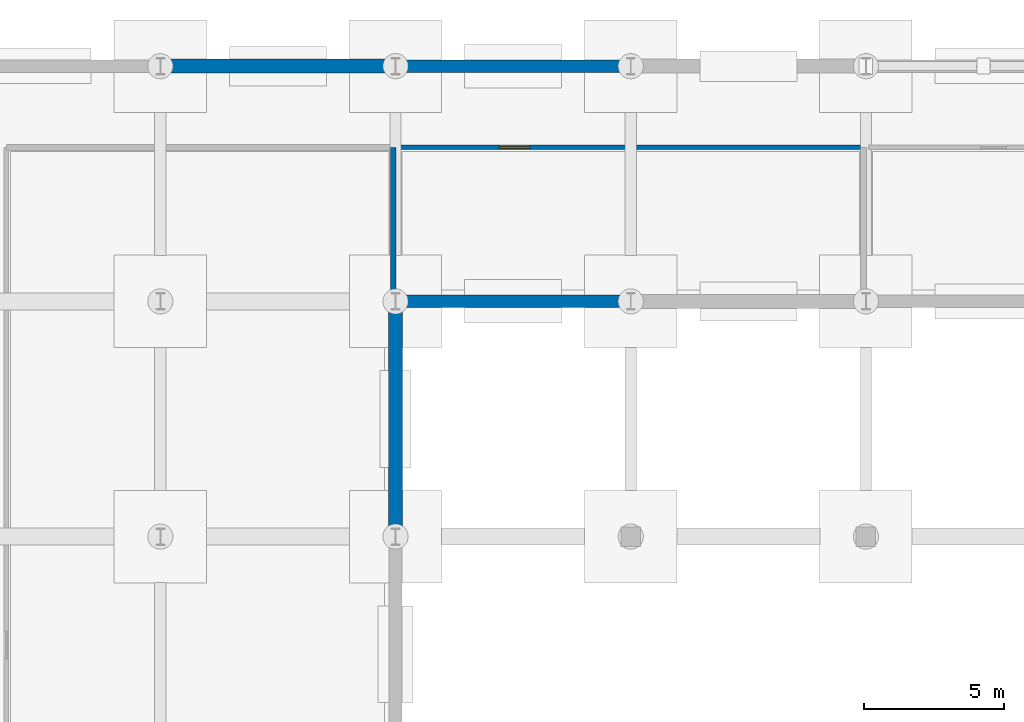
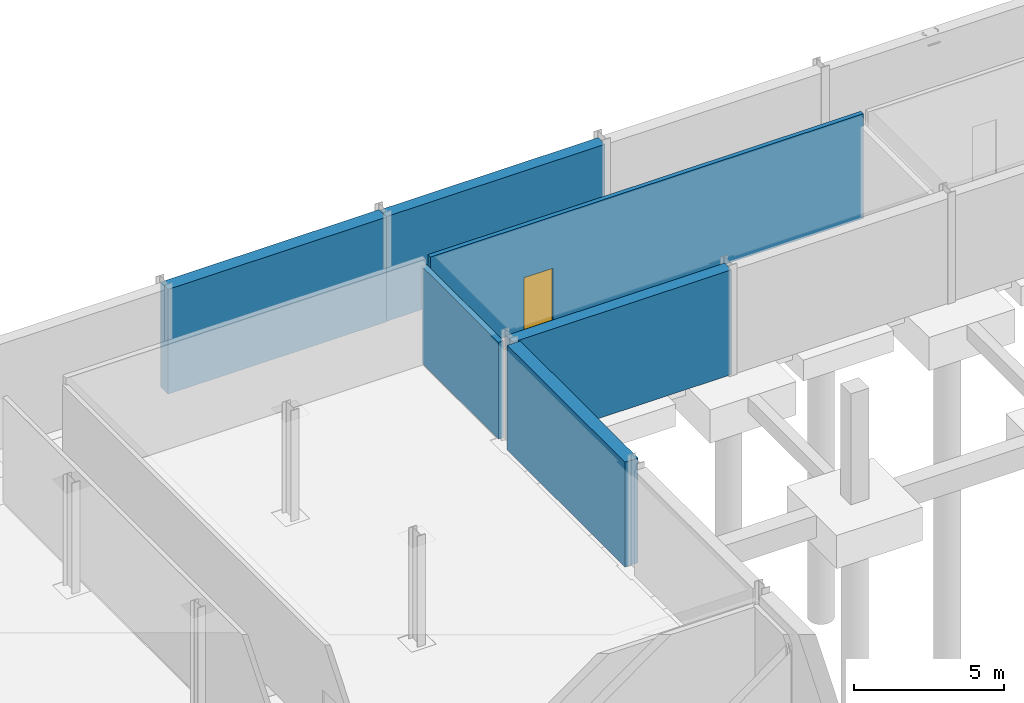
# One storey, part 30 of 43: 6 walls, 1 door, 1 opening.
"""IFC4 building model written with IfcOpenShell, lengths in metres."""

from ifc_helpers import new_model, si_unit, direction, frame, frame_2d, origin, place, context, subcontext, project, spatial, rectangle, extrude, material, layer, layer_set, type_object, element, fill, save


model = new_model("IFC4")

# Units and contexts
model_context = context("Model", 3, precision=1e-05, world=origin(), true_north=direction((0.0, 1.0)))
body_context = subcontext(model_context, "Body", "Model", "MODEL_VIEW")
ifc_project = project(units=[si_unit("LENGTHUNIT", "METRE"), si_unit("AREAUNIT", "SQUARE_METRE"), si_unit("VOLUMEUNIT", "CUBIC_METRE"), si_unit("PLANEANGLEUNIT", "RADIAN"), si_unit("MASSUNIT", "GRAM", prefix="KILO")], contexts=[model_context])

# Site, building, storey
site_placement = place(None, origin())
site = spatial("IfcSite", under=ifc_project, at=site_placement, CompositionType="ELEMENT")
building_placement = place(site_placement, origin())
building = spatial("IfcBuilding", under=site, at=building_placement, Name="Mersafa Astral City Hall", CompositionType="ELEMENT")
storey_placement = place(building_placement, frame((0.0, 0.0, -4.5)))
storey = spatial("IfcBuildingStorey", under=building, at=storey_placement, Name="B1", CompositionType="ELEMENT", Elevation=-4.5)

# Walls
ifc_material_1 = material(Name="Concrete C40/50", Category="concrete")
ifc_layer_1 = layer(ifc_material_1, 0.449951171875, Name="Concrete C40/50")
ifc_layer_set_1 = layer_set([ifc_layer_1], Name="Concrete C40/50 — ENV-WAL-RET-450")
wall_type_1 = type_object("IfcWallType", Name="ENV-WAL-RET-450", PredefinedType="USERDEFINED", material=ifc_layer_set_1)
for number, where, z_axis, x_axis, name in (
    (1, (117.60791015625, 117.60009765625, 0.0), (0.0, 0.0, 1.0), (1.0, 0.0, 0.0), "B1 Perimeter retaining wall 13"),
    (2, (125.991943359375, 126.0, 0.0), (0.0, 0.0, 1.0), (-1.0, 0.0, 0.0), "B1 Perimeter retaining wall 45"),
):
    element("IfcWall", number, at=place(storey_placement, frame(where, z_axis=z_axis, x_axis=x_axis)), inside=storey, type_object=wall_type_1, Name=name, ObjectType="RETAININGWALL", PredefinedType="USERDEFINED", context=body_context, shape_type="SweptSolid", body=[
        extrude(rectangle(XDim=8.384033203125, YDim=0.449951171875, at=frame_2d((4.19189453125, 0.0))), origin(), (0.0, 0.0, 1.0), 4.25),
    ])
ifc_layer_2 = layer(ifc_material_1, 0.5, Name="Concrete C40/50")
ifc_layer_set_2 = layer_set([ifc_layer_2], Name="Concrete C40/50 — ENV-WAL-RET-500")
wall_type_2 = type_object("IfcWallType", Name="ENV-WAL-RET-500", PredefinedType="USERDEFINED", material=ifc_layer_set_2)
wall_1_placement = place(storey_placement, frame((117.60009765625, 109.485107421875, 0.0), z_axis=(0.0, 0.0, 1.0), x_axis=(0.0, 1.0, 0.0)))
element("IfcWall", 3, at=wall_1_placement, inside=storey, type_object=wall_type_2, Name="B1 Perimeter retaining wall 12", ObjectType="RETAININGWALL", PredefinedType="USERDEFINED", context=body_context, shape_type="SweptSolid", body=[
    extrude(rectangle(XDim=7.829833984375, YDim=0.5, at=frame_2d((3.9150390625, 0.0))), origin(), (0.0, 0.0, 1.0), 4.25),
])
wall_2_placement = place(storey_placement, frame((117.592041015625, 126.0, 0.0), z_axis=(0.0, 0.0, 1.0), x_axis=(-1.0, 0.0, 0.0)))
element("IfcWall", 4, at=wall_2_placement, inside=storey, type_object=wall_type_2, Name="B1 Perimeter retaining wall 46", ObjectType="RETAININGWALL", PredefinedType="USERDEFINED", context=body_context, shape_type="SweptSolid", body=[
    extrude(rectangle(XDim=8.384033203125, YDim=0.5, at=frame_2d((4.19189453125, 0.0))), origin(), (0.0, 0.0, 1.0), 4.25),
])

# Wall, opening, door
ifc_material_2 = material(Name="Fire-rated gypsum stud partition", Category="gypsum")
ifc_layer_3 = layer(ifc_material_2, 0.1650390625, Name="Fire-rated gypsum stud partition")
ifc_layer_set_3 = layer_set([ifc_layer_3], Name="Fire-rated gypsum stud partition — INT-WAL-PART-EI60-165")
wall_type_3 = type_object("IfcWallType", Name="INT-WAL-PART-EI60-165", PredefinedType="STANDARD", material=ifc_layer_set_3)
wall_3_placement = place(storey_placement, frame((117.68994140625, 123.10009765625, -0.00390625), z_axis=(0.0, 0.0, 1.0), x_axis=(1.0, 0.0, 0.0)))
wall_3 = element("IfcWall", 5, at=wall_3_placement, inside=storey, type_object=wall_type_3, Name="B1 Interior partition wall 67", PredefinedType="STANDARD", context=body_context, shape_type="SweptSolid", body=[
    extrude(rectangle(XDim=16.6201171875, YDim=0.1650390625, at=frame_2d((8.31005859375, 0.0))), origin(), (0.0, 0.0, 1.0), 4.25390625),
])
opening_placement = place(wall_3_placement, frame((3.60498046875, 0.0, 0.014892578125)))
opening = element("IfcOpeningElement", 6, at=opening_placement, cuts=wall_3, Name="Opening D-13", PredefinedType="OPENING", context=body_context, shape_type="SweptSolid", body=[
    extrude(rectangle(XDim=1.10009765625, YDim=2.139892578125, at=frame_2d((0.550048828125, 1.06982421875))), frame((0.0, 0.092529296875, 0.0), z_axis=(0.0, -1.0, 0.0), x_axis=(1.0, 0.0, 0.0)), (0.0, 0.0, 1.0), 0.18505859375),
])
ifc_material_3 = material(Name="Cedar veneered acoustic fire-rated timber door", Category="wood")
door_type = type_object("IfcDoorType", Name="INT-DR-RM-D-13", OperationType="NOTDEFINED", PredefinedType="DOOR", material=ifc_material_3)
door_placement = place(opening_placement, origin())
door = element("IfcDoor", 7, at=door_placement, inside=storey, type_object=door_type, Name="B1 Central Mail & Courier Sorting Room B1-12 Entrance Door", OperationType="SINGLE_SWING_LEFT", OverallHeight=2.139892578125, OverallWidth=1.10009765625, PredefinedType="DOOR", context=body_context, shape_type="SweptSolid", body=[
    extrude(rectangle(XDim=1.10009765625, YDim=2.139892578125, at=frame_2d((0.550048828125, 1.06982421875))), frame((0.0, 0.02490234375, 0.0), z_axis=(0.0, -1.0, 0.0), x_axis=(1.0, 0.0, 0.0)), (0.0, 0.0, 1.0), 0.050048828125),
])
fill(opening, door)

# Wall
ifc_material_4 = material(Name="Acoustic twin-stud gypsum partition", Category="gypsum")
ifc_layer_4 = layer(ifc_material_4, 0.195068359375, Name="Acoustic twin-stud gypsum partition")
ifc_layer_set_4 = layer_set([ifc_layer_4], Name="Acoustic twin-stud gypsum partition — INT-WAL-PART-EI60-195")
wall_type_4 = type_object("IfcWallType", Name="INT-WAL-PART-EI60-195", PredefinedType="STANDARD", material=ifc_layer_set_4)
wall_4_placement = place(storey_placement, frame((117.510009765625, 123.10009765625, -0.00390625), z_axis=(0.0, 0.0, 1.0), x_axis=(0.0, -1.0, 0.0)))
element("IfcWall", 8, at=wall_4_placement, inside=storey, type_object=wall_type_4, Name="B1 Interior partition wall 5", PredefinedType="STANDARD", context=body_context, shape_type="SweptSolid", body=[
    extrude(rectangle(XDim=5.090087890625, YDim=0.195068359375, at=frame_2d((2.544921875, 0.0))), origin(), (0.0, 0.0, 1.0), 3.926025390625),
])

save(model, "model.ifc")
